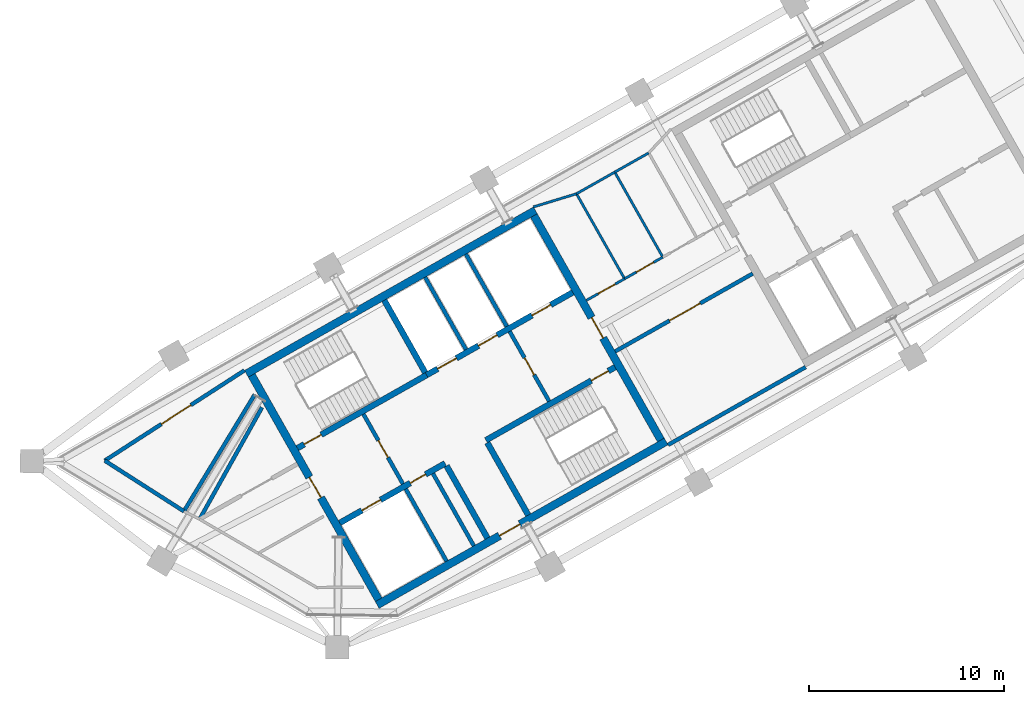
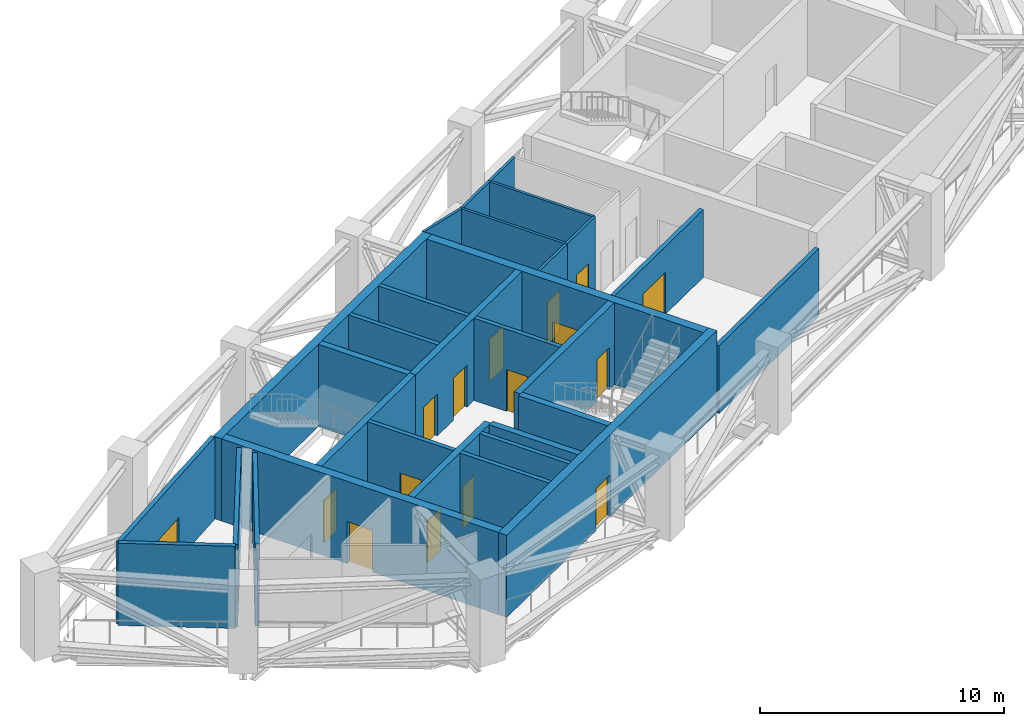
# One storey, part 6 of 10: 30 walls, 16 doors, 16 openings.
"""IFC4 building model written with IfcOpenShell, lengths in metres."""

from ifc_helpers import new_model, si_unit, direction, frame, frame_2d, origin, place, context, subcontext, project, spatial, rectangle, extrude, material, layer, layer_set, type_object, element, fill, save


model = new_model("IFC4")

# Units and contexts
model_context = context("Model", 3, precision=1e-05, world=origin(), true_north=direction((0.0, 1.0)))
body_context = subcontext(model_context, "Body", "Model", "MODEL_VIEW")
ifc_project = project(units=[si_unit("LENGTHUNIT", "METRE"), si_unit("AREAUNIT", "SQUARE_METRE"), si_unit("VOLUMEUNIT", "CUBIC_METRE"), si_unit("PLANEANGLEUNIT", "RADIAN"), si_unit("MASSUNIT", "GRAM", prefix="KILO")], contexts=[model_context])

# Site, building, storey
site_placement = place(None, origin())
site = spatial("IfcSite", under=ifc_project, at=site_placement, CompositionType="ELEMENT")
building_placement = place(site_placement, origin())
building = spatial("IfcBuilding", under=site, at=building_placement, Name="Binnacle Exchange Tower", CompositionType="ELEMENT")
storey_placement = place(building_placement, frame((0.0, 0.0, 312.10009765625)))
storey = spatial("IfcBuildingStorey", under=building, at=storey_placement, Name="L70", CompositionType="ELEMENT", Elevation=312.10009765625)

# Wall, openings, doors
ifc_material_1 = material(Name="Concrete C70/85", Category="concrete")
ifc_layer_1 = layer(ifc_material_1, 0.300048828125)
ifc_layer_set_1 = layer_set([ifc_layer_1], Name="Core wall - front 300")
wall_type_1 = type_object("IfcWallType", Name="Core wall - front 300", PredefinedType="SOLIDWALL", material=ifc_layer_set_1)
wall_1_placement = place(storey_placement, frame((-41.72998046875, 33.862548828125, 0.0), z_axis=(0.0, 0.0, 1.0), x_axis=(0.870350800578, 0.492432212525, 0.0)))
wall_1 = element("IfcWall", 1, at=wall_1_placement, inside=storey, type_object=wall_type_1, Name="Core wall CRWA2", PredefinedType="SOLIDWALL", context=body_context, shape_type="SweptSolid", body=[
    extrude(rectangle(XDim=6.19970703125, YDim=0.300048828125, at=frame_2d((3.099853515625, 0.0))), origin(), (0.0, 0.0, 1.0), 4.119873046875),
])
opening_1_placement = place(wall_1_placement, frame((1.300048828125, 0.0, 0.0)))
opening_1 = element("IfcOpeningElement", 2, at=opening_1_placement, cuts=wall_1, Name="Opening LD12", PredefinedType="OPENING", context=body_context, shape_type="SweptSolid", body=[
    extrude(rectangle(XDim=1.10009765625, YDim=2.10009765625, at=frame_2d((0.550048828125, 1.050048828125))), frame((0.0, 0.159912109375, 0.0), z_axis=(0.0, -1.0, 0.0), x_axis=(1.0, 0.0, 0.0)), (0.0, 0.0, 1.0), 0.320068359375),
])
opening_2_placement = place(wall_1_placement, frame((4.14990234375, 0.0, 0.0)))
opening_2 = element("IfcOpeningElement", 3, at=opening_2_placement, cuts=wall_1, Name="Opening DA14", PredefinedType="OPENING", context=body_context, shape_type="SweptSolid", body=[
    extrude(rectangle(XDim=0.89990234375, YDim=2.10009765625, at=frame_2d((0.449951171875, 1.050048828125))), frame((0.0, 0.159912109375, 0.0), z_axis=(0.0, -1.0, 0.0), x_axis=(1.0, 0.0, 0.0)), (0.0, 0.0, 1.0), 0.320068359375),
])
ifc_material_2 = material(Name="Steel door leaf", Category="steel")
door_type_1 = type_object("IfcDoorType", Name="Fire door - lift landing 1100", OperationType="NOTDEFINED", PredefinedType="DOOR", material=ifc_material_2)
door_1_placement = place(opening_1_placement, origin())
door_1 = element("IfcDoor", 4, at=door_1_placement, inside=storey, type_object=door_type_1, Name="Landing door LD12 L70", OperationType="DOUBLE_DOOR_SLIDING", OverallHeight=2.10009765625, OverallWidth=1.10009765625, PredefinedType="DOOR", context=body_context, shape_type="SweptSolid", body=[
    extrude(rectangle(XDim=1.10009765625, YDim=2.10009765625, at=frame_2d((0.550048828125, 1.050048828125))), frame((0.0, 0.02490234375, 0.0), z_axis=(0.0, -1.0, 0.0), x_axis=(1.0, 0.0, 0.0)), (0.0, 0.0, 1.0), 0.050048828125),
])
fill(opening_1, door_1)
door_type_2 = type_object("IfcDoorType", Name="Fire door 900", OperationType="NOTDEFINED", PredefinedType="DOOR", material=ifc_material_2)
door_2_placement = place(opening_2_placement, frame((0.89990234375, 0.0, 0.0), z_axis=(0.0, 0.0, 1.0), x_axis=(-1.0, 0.0, 0.0)))
door_2 = element("IfcDoor", 5, at=door_2_placement, inside=storey, type_object=door_type_2, Name="Core room door ELECTRICAL ROOM", OperationType="SINGLE_SWING_LEFT", OverallHeight=2.10009765625, OverallWidth=0.89990234375, PredefinedType="DOOR", context=body_context, shape_type="SweptSolid", body=[
    extrude(rectangle(XDim=0.89990234375, YDim=2.10009765625, at=frame_2d((0.449951171875, 1.050048828125))), frame((0.0, 0.02490234375, 0.0), z_axis=(0.0, -1.0, 0.0), x_axis=(1.0, 0.0, 0.0)), (0.0, 0.0, 1.0), 0.050048828125),
])
fill(opening_2, door_2)

wall_2_placement = place(storey_placement, frame((-37.281982421875, 41.4345703125, 0.0), z_axis=(0.0, 0.0, 1.0), x_axis=(0.870361315115, 0.492413628113, 0.0)))
wall_2 = element("IfcWall", 6, at=wall_2_placement, inside=storey, type_object=wall_type_1, Name="Core wall CRWA5", PredefinedType="SOLIDWALL", context=body_context, shape_type="SweptSolid", body=[
    extrude(rectangle(XDim=8.599609375, YDim=0.300048828125, at=frame_2d((4.2998046875, 0.0))), origin(), (0.0, 0.0, 1.0), 4.119873046875),
])
opening_3_placement = place(wall_2_placement, frame((0.650146484375, 0.0, 0.0)))
opening_3 = element("IfcOpeningElement", 7, at=opening_3_placement, cuts=wall_2, Name="Opening LD9", PredefinedType="OPENING", context=body_context, shape_type="SweptSolid", body=[
    extrude(rectangle(XDim=1.10009765625, YDim=2.10009765625, at=frame_2d((0.550048828125, 1.050048828125))), frame((0.0, 0.159912109375, 0.0), z_axis=(0.0, -1.0, 0.0), x_axis=(1.0, 0.0, 0.0)), (0.0, 0.0, 1.0), 0.320068359375),
])
opening_4_placement = place(wall_2_placement, frame((3.050048828125, 0.0, 0.0)))
opening_4 = element("IfcOpeningElement", 8, at=opening_4_placement, cuts=wall_2, Name="Opening LD10", PredefinedType="OPENING", context=body_context, shape_type="SweptSolid", body=[
    extrude(rectangle(XDim=1.10009765625, YDim=2.10009765625, at=frame_2d((0.550048828125, 1.050048828125))), frame((0.0, 0.159912109375, 0.0), z_axis=(0.0, -1.0, 0.0), x_axis=(1.0, 0.0, 0.0)), (0.0, 0.0, 1.0), 0.320068359375),
])
opening_5_placement = place(wall_2_placement, frame((6.199951171875, 0.0, 0.0)))
opening_5 = element("IfcOpeningElement", 9, at=opening_5_placement, cuts=wall_2, Name="Opening LD13", PredefinedType="OPENING", context=body_context, shape_type="SweptSolid", body=[
    extrude(rectangle(XDim=1.10009765625, YDim=2.10009765625, at=frame_2d((0.550048828125, 1.050048828125))), frame((0.0, 0.159912109375, 0.0), z_axis=(0.0, -1.0, 0.0), x_axis=(1.0, 0.0, 0.0)), (0.0, 0.0, 1.0), 0.320068359375),
])
door_3_placement = place(opening_3_placement, origin())
door_3 = element("IfcDoor", 10, at=door_3_placement, inside=storey, type_object=door_type_1, Name="Landing door LD9 L70", OperationType="DOUBLE_DOOR_SLIDING", OverallHeight=2.10009765625, OverallWidth=1.10009765625, PredefinedType="DOOR", context=body_context, shape_type="SweptSolid", body=[
    extrude(rectangle(XDim=1.10009765625, YDim=2.10009765625, at=frame_2d((0.550048828125, 1.050048828125))), frame((0.0, 0.02490234375, 0.0), z_axis=(0.0, -1.0, 0.0), x_axis=(1.0, 0.0, 0.0)), (0.0, 0.0, 1.0), 0.050048828125),
])
fill(opening_3, door_3)
door_4_placement = place(opening_4_placement, origin())
door_4 = element("IfcDoor", 11, at=door_4_placement, inside=storey, type_object=door_type_1, Name="Landing door LD10 L70", OperationType="DOUBLE_DOOR_SLIDING", OverallHeight=2.10009765625, OverallWidth=1.10009765625, PredefinedType="DOOR", context=body_context, shape_type="SweptSolid", body=[
    extrude(rectangle(XDim=1.10009765625, YDim=2.10009765625, at=frame_2d((0.550048828125, 1.050048828125))), frame((0.0, 0.02490234375, 0.0), z_axis=(0.0, -1.0, 0.0), x_axis=(1.0, 0.0, 0.0)), (0.0, 0.0, 1.0), 0.050048828125),
])
fill(opening_4, door_4)
door_5_placement = place(opening_5_placement, origin())
door_5 = element("IfcDoor", 12, at=door_5_placement, inside=storey, type_object=door_type_1, Name="Landing door LD13 L70", OperationType="DOUBLE_DOOR_SLIDING", OverallHeight=2.10009765625, OverallWidth=1.10009765625, PredefinedType="DOOR", context=body_context, shape_type="SweptSolid", body=[
    extrude(rectangle(XDim=1.10009765625, YDim=2.10009765625, at=frame_2d((0.550048828125, 1.050048828125))), frame((0.0, 0.02490234375, 0.0), z_axis=(0.0, -1.0, 0.0), x_axis=(1.0, 0.0, 0.0)), (0.0, 0.0, 1.0), 0.050048828125),
])
fill(opening_5, door_5)

# Wall
wall_3_placement = place(storey_placement, frame((-36.260009765625, 36.784912109375, 0.0), z_axis=(0.0, 0.0, 1.0), x_axis=(0.492422543467, -0.870356271124, 0.0)))
element("IfcWall", 13, at=wall_3_placement, inside=storey, type_object=wall_type_1, Name="Core wall CRWA13", PredefinedType="SOLIDWALL", context=body_context, shape_type="SweptSolid", body=[
    extrude(rectangle(XDim=4.25, YDim=0.300048828125, at=frame_2d((2.125, 0.0))), origin(), (0.0, 0.0, 1.0), 4.119873046875),
])

# Wall, opening, door
ifc_layer_2 = layer(ifc_material_1, 0.39990234375)
ifc_layer_set_2 = layer_set([ifc_layer_2], Name="Core wall - outer 400")
wall_type_2 = type_object("IfcWallType", Name="Core wall - outer 400", PredefinedType="SOLIDWALL", material=ifc_layer_set_2)
wall_4_placement = place(storey_placement, frame((-39.81298828125, 29.661865234375, 0.0), z_axis=(0.0, 0.0, 1.0), x_axis=(0.870350116061, 0.492433422375, 0.0)))
wall_4 = element("IfcWall", 14, at=wall_4_placement, inside=storey, type_object=wall_type_2, Name="Core wall CRWA1", PredefinedType="SOLIDWALL", context=body_context, shape_type="SweptSolid", body=[
    extrude(rectangle(XDim=17.0, YDim=0.39990234375, at=frame_2d((8.5, 0.0))), origin(), (0.0, 0.0, 1.0), 4.119873046875),
])
opening_6_placement = place(wall_4_placement, frame((7.199951171875, 0.0, 0.0)))
opening_6 = element("IfcOpeningElement", 15, at=opening_6_placement, cuts=wall_4, Name="Opening DA7", PredefinedType="OPENING", context=body_context, shape_type="SweptSolid", body=[
    extrude(rectangle(XDim=1.199951171875, YDim=2.10009765625, at=frame_2d((0.60009765625, 1.050048828125))), frame((0.0, 0.2099609375, 0.0), z_axis=(0.0, -1.0, 0.0), x_axis=(1.0, 0.0, 0.0)), (0.0, 0.0, 1.0), 0.419921875),
])
door_type_3 = type_object("IfcDoorType", Name="Fire door 1200", OperationType="NOTDEFINED", PredefinedType="DOOR", material=ifc_material_2)
door_6_placement = place(opening_6_placement, frame((1.199951171875, 0.0, 0.0), z_axis=(0.0, 0.0, 1.0), x_axis=(-1.0, 0.0, 0.0)))
door_6 = element("IfcDoor", 16, at=door_6_placement, inside=storey, type_object=door_type_3, Name="Lift lobby entrance door core A", OperationType="SINGLE_SWING_RIGHT", OverallHeight=2.10009765625, OverallWidth=1.199951171875, PredefinedType="DOOR", context=body_context, shape_type="SweptSolid", body=[
    extrude(rectangle(XDim=1.199951171875, YDim=2.10009765625, at=frame_2d((0.60009765625, 1.050048828125))), frame((0.0, 0.02490234375, 0.0), z_axis=(0.0, -1.0, 0.0), x_axis=(1.0, 0.0, 0.0)), (0.0, 0.0, 1.0), 0.050048828125),
])
fill(opening_6, door_6)

# Wall
wall_5_placement = place(storey_placement, frame((-46.510009765625, 41.498779296875, 0.0), z_axis=(0.0, 0.0, 1.0), x_axis=(0.870356271124, 0.492422543467, 0.0)))
element("IfcWall", 17, at=wall_5_placement, inside=storey, type_object=wall_type_2, Name="Core wall CRWA6", PredefinedType="SOLIDWALL", context=body_context, shape_type="SweptSolid", body=[
    extrude(rectangle(XDim=16.999755859375, YDim=0.39990234375, at=frame_2d((8.5, 0.0))), origin(), (0.0, 0.0, 1.0), 4.119873046875),
])

# Wall, opening, door
wall_6_placement = place(storey_placement, frame((-46.237548828125, 41.423095703125, 0.0), z_axis=(0.0, 0.0, 1.0), x_axis=(0.492421663121, -0.870356769198, 0.0)))
wall_6 = element("IfcWall", 18, at=wall_6_placement, inside=storey, type_object=wall_type_2, Name="Core wall CRWA7", PredefinedType="SOLIDWALL", context=body_context, shape_type="SweptSolid", body=[
    extrude(rectangle(XDim=13.199951171875, YDim=0.39990234375, at=frame_2d((6.60009765625, 0.0))), origin(), (0.0, 0.0, 1.0), 4.119873046875),
])
opening_7_placement = place(wall_6_placement, frame((6.0, 0.0, 0.0)))
opening_7 = element("IfcOpeningElement", 19, at=opening_7_placement, cuts=wall_6, Name="Opening DA5", PredefinedType="OPENING", context=body_context, shape_type="SweptSolid", body=[
    extrude(rectangle(XDim=1.199951171875, YDim=2.10009765625, at=frame_2d((0.60009765625, 1.050048828125))), frame((0.0, 0.2099609375, 0.0), z_axis=(0.0, -1.0, 0.0), x_axis=(1.0, 0.0, 0.0)), (0.0, 0.0, 1.0), 0.419921875),
])
door_7_placement = place(opening_7_placement, frame((1.199951171875, 0.0, 0.0), z_axis=(0.0, 0.0, 1.0), x_axis=(-1.0, 0.0, 0.0)))
door_7 = element("IfcDoor", 20, at=door_7_placement, inside=storey, type_object=door_type_3, Name="Vestibule exit door VEST-W", OperationType="SINGLE_SWING_RIGHT", OverallHeight=2.10009765625, OverallWidth=1.199951171875, PredefinedType="DOOR", context=body_context, shape_type="SweptSolid", body=[
    extrude(rectangle(XDim=1.199951171875, YDim=2.10009765625, at=frame_2d((0.60009765625, 1.050048828125))), frame((0.0, 0.02490234375, 0.0), z_axis=(0.0, -1.0, 0.0), x_axis=(1.0, 0.0, 0.0)), (0.0, 0.0, 1.0), 0.050048828125),
])
fill(opening_7, door_7)

wall_7_placement = place(storey_placement, frame((-31.78955078125, 49.597412109375, 0.0), z_axis=(0.0, 0.0, 1.0), x_axis=(0.492421663121, -0.870356769198, 0.0)))
wall_7 = element("IfcWall", 21, at=wall_7_placement, inside=storey, type_object=wall_type_2, Name="Core wall CRWA22", PredefinedType="SOLIDWALL", context=body_context, shape_type="SweptSolid", body=[
    extrude(rectangle(XDim=13.199951171875, YDim=0.39990234375, at=frame_2d((6.60009765625, 0.0))), origin(), (0.0, 0.0, 1.0), 4.119873046875),
])
opening_8_placement = place(wall_7_placement, frame((6.0, 0.0, 0.0)))
opening_8 = element("IfcOpeningElement", 22, at=opening_8_placement, cuts=wall_7, Name="Opening DA6", PredefinedType="OPENING", context=body_context, shape_type="SweptSolid", body=[
    extrude(rectangle(XDim=1.199951171875, YDim=2.10009765625, at=frame_2d((0.60009765625, 1.050048828125))), frame((0.0, 0.2099609375, 0.0), z_axis=(0.0, -1.0, 0.0), x_axis=(1.0, 0.0, 0.0)), (0.0, 0.0, 1.0), 0.419921875),
])
door_8_placement = place(opening_8_placement, origin())
door_8 = element("IfcDoor", 23, at=door_8_placement, inside=storey, type_object=door_type_3, Name="Vestibule exit door VEST-E", OperationType="SINGLE_SWING_LEFT", OverallHeight=2.10009765625, OverallWidth=1.199951171875, PredefinedType="DOOR", context=body_context, shape_type="SweptSolid", body=[
    extrude(rectangle(XDim=1.199951171875, YDim=2.10009765625, at=frame_2d((0.60009765625, 1.050048828125))), frame((0.0, 0.02490234375, 0.0), z_axis=(0.0, -1.0, 0.0), x_axis=(1.0, 0.0, 0.0)), (0.0, 0.0, 1.0), 0.050048828125),
])
fill(opening_8, door_8)

ifc_layer_3 = layer(ifc_material_1, 0.300048828125)
ifc_layer_set_3 = layer_set([ifc_layer_3], Name="Core wall - stair 300")
wall_type_3 = type_object("IfcWallType", Name="Core wall - stair 300", PredefinedType="SOLIDWALL", material=ifc_layer_set_3)
wall_8_placement = place(storey_placement, frame((-34.2451171875, 38.097412109375, 0.0), z_axis=(0.0, 0.0, 1.0), x_axis=(0.870356351998, 0.492422400523, 0.0)))
wall_8 = element("IfcWall", 24, at=wall_8_placement, inside=storey, type_object=wall_type_3, Name="Core wall CRWA3", PredefinedType="SOLIDWALL", context=body_context, shape_type="SweptSolid", body=[
    extrude(rectangle(XDim=7.60009765625, YDim=0.300048828125, at=frame_2d((3.800048828125, 0.0))), origin(), (0.0, 0.0, 1.0), 4.119873046875),
])
opening_9_placement = place(wall_8_placement, frame((6.199951171875, 0.0, 0.0)))
opening_9 = element("IfcOpeningElement", 25, at=opening_9_placement, cuts=wall_8, Name="Opening DA2", PredefinedType="OPENING", context=body_context, shape_type="SweptSolid", body=[
    extrude(rectangle(XDim=1.0, YDim=2.10009765625, at=frame_2d((0.5, 1.050048828125))), frame((0.0, 0.159912109375, 0.0), z_axis=(0.0, -1.0, 0.0), x_axis=(1.0, 0.0, 0.0)), (0.0, 0.0, 1.0), 0.320068359375),
])
door_type_4 = type_object("IfcDoorType", Name="Fire door 1000", OperationType="NOTDEFINED", PredefinedType="DOOR", material=ifc_material_2)
door_9_placement = place(opening_9_placement, frame((1.0, 0.0, 0.0), z_axis=(0.0, 0.0, 1.0), x_axis=(-1.0, 0.0, 0.0)))
door_9 = element("IfcDoor", 26, at=door_9_placement, inside=storey, type_object=door_type_4, Name="Stair door ST-A2", OperationType="SINGLE_SWING_LEFT", OverallHeight=2.10009765625, OverallWidth=1.0, PredefinedType="DOOR", context=body_context, shape_type="SweptSolid", body=[
    extrude(rectangle(XDim=1.0, YDim=2.10009765625, at=frame_2d((0.5, 1.050048828125))), frame((0.0, 0.02490234375, 0.0), z_axis=(0.0, -1.0, 0.0), x_axis=(1.0, 0.0, 0.0)), (0.0, 0.0, 1.0), 0.050048828125),
])
fill(opening_9, door_9)

wall_9_placement = place(storey_placement, frame((-43.896728515625, 37.692138671875, 0.0), z_axis=(0.0, 0.0, 1.0), x_axis=(0.870356351998, 0.492422400523, 0.0)))
wall_9 = element("IfcWall", 27, at=wall_9_placement, inside=storey, type_object=wall_type_3, Name="Core wall CRWA4", PredefinedType="SOLIDWALL", context=body_context, shape_type="SweptSolid", body=[
    extrude(rectangle(XDim=7.60009765625, YDim=0.300048828125, at=frame_2d((3.800048828125, 0.0))), origin(), (0.0, 0.0, 1.0), 4.119873046875),
])
opening_10_placement = place(wall_9_placement, frame((0.39990234375, 0.0, 0.0)))
opening_10 = element("IfcOpeningElement", 28, at=opening_10_placement, cuts=wall_9, Name="Opening DA1", PredefinedType="OPENING", context=body_context, shape_type="SweptSolid", body=[
    extrude(rectangle(XDim=1.0, YDim=2.10009765625, at=frame_2d((0.5, 1.050048828125))), frame((0.0, 0.159912109375, 0.0), z_axis=(0.0, -1.0, 0.0), x_axis=(1.0, 0.0, 0.0)), (0.0, 0.0, 1.0), 0.320068359375),
])
door_10_placement = place(opening_10_placement, origin())
door_10 = element("IfcDoor", 29, at=door_10_placement, inside=storey, type_object=door_type_4, Name="Stair door ST-A1", OperationType="SINGLE_SWING_LEFT", OverallHeight=2.10009765625, OverallWidth=1.0, PredefinedType="DOOR", context=body_context, shape_type="SweptSolid", body=[
    extrude(rectangle(XDim=1.0, YDim=2.10009765625, at=frame_2d((0.5, 1.050048828125))), frame((0.0, 0.02490234375, 0.0), z_axis=(0.0, -1.0, 0.0), x_axis=(1.0, 0.0, 0.0)), (0.0, 0.0, 1.0), 0.050048828125),
])
fill(opening_10, door_10)

# Walls
for number, where, z_axis, x_axis, name in (
    (30, (-39.44873046875, 45.263916015625, 0.0), (0.0, 0.0, 1.0), (0.492422543467, -0.870356271124, 0.0), "Core wall CRWA14"),
    (31, (-34.171142578125, 37.966796875, 0.0), (0.0, 0.0, 1.0), (0.492422543467, -0.870356271124, 0.0), "Core wall CRWA16"),
):
    element("IfcWall", number, at=place(storey_placement, frame(where, z_axis=z_axis, x_axis=x_axis)), inside=storey, type_object=wall_type_3, Name=name, PredefinedType="SOLIDWALL", context=body_context, shape_type="SweptSolid", body=[
        extrude(rectangle(XDim=4.25, YDim=0.300048828125, at=frame_2d((2.125, 0.0))), origin(), (0.0, 0.0, 1.0), 4.119873046875),
    ])
ifc_material_3 = material(Name="Masonry block wall", Category="masonry")
ifc_layer_4 = layer(ifc_material_3, 0.199951171875)
ifc_layer_set_4 = layer_set([ifc_layer_4], Name="Fire wall - block 200")
wall_type_4 = type_object("IfcWallType", Name="Fire wall - block 200", PredefinedType="PARTITIONING", material=ifc_layer_set_4)
wall_10_placement = place(storey_placement, frame((-53.760009765625, 37.052001953125, 0.0), z_axis=(0.0, 0.0, 1.0), x_axis=(0.842421660073, -0.538818843992, 0.0)))
element("IfcWall", 32, at=wall_10_placement, inside=storey, type_object=wall_type_4, Name="Partition W01", PredefinedType="PARTITIONING", context=body_context, shape_type="SweptSolid", body=[
    extrude(rectangle(XDim=4.808837890625, YDim=0.199951171875, at=frame_2d((2.404296875, 0.0))), origin(), (0.0, 0.0, 1.0), 4.119873046875),
])

# Wall, opening, door
wall_11_placement = place(storey_placement, frame((-53.760009765625, 37.052001953125, 0.0), z_axis=(0.0, 0.0, 1.0), x_axis=(0.83989696129, 0.542745883831, 0.0)))
wall_11 = element("IfcWall", 33, at=wall_11_placement, inside=storey, type_object=wall_type_4, Name="Partition W02", PredefinedType="PARTITIONING", context=body_context, shape_type="SweptSolid", body=[
    extrude(rectangle(XDim=8.514404296875, YDim=0.199951171875, at=frame_2d((4.25732421875, 0.0))), origin(), (0.0, 0.0, 1.0), 4.119873046875),
])
opening_11_placement = place(wall_11_placement, frame((3.449951171875, 0.0, 0.0)))
opening_11 = element("IfcOpeningElement", 34, at=opening_11_placement, cuts=wall_11, Name="Opening DL70-02", PredefinedType="OPENING", context=body_context, shape_type="SweptSolid", body=[
    extrude(rectangle(XDim=1.800048828125, YDim=2.10009765625, at=frame_2d((0.89990234375, 1.050048828125))), frame((0.0, 0.10986328125, 0.0), z_axis=(0.0, -1.0, 0.0), x_axis=(1.0, 0.0, 0.0)), (0.0, 0.0, 1.0), 0.219970703125),
])
door_type_5 = type_object("IfcDoorType", Name="Fire door 1800", OperationType="NOTDEFINED", PredefinedType="DOOR", material=ifc_material_2)
door_11_placement = place(opening_11_placement, frame((1.800048828125, 0.0, 0.0), z_axis=(0.0, 0.0, 1.0), x_axis=(-1.0, 0.0, 0.0)))
door_11 = element("IfcDoor", 35, at=door_11_placement, inside=storey, type_object=door_type_5, Name="Door DL70-02", OperationType="DOUBLE_DOOR_SINGLE_SWING", OverallHeight=2.10009765625, OverallWidth=1.800048828125, PredefinedType="DOOR", context=body_context, shape_type="SweptSolid", body=[
    extrude(rectangle(XDim=1.800048828125, YDim=2.10009765625, at=frame_2d((0.89990234375, 1.050048828125))), frame((0.0, 0.02490234375, 0.0), z_axis=(0.0, -1.0, 0.0), x_axis=(1.0, 0.0, 0.0)), (0.0, 0.0, 1.0), 0.050048828125),
])
fill(opening_11, door_11)

# Walls
wall_12_placement = place(storey_placement, frame((-49.698974609375, 34.47802734375, 0.0), z_axis=(0.0, 0.0, 1.0), x_axis=(0.51880997965, 0.854889586447, 0.0)))
element("IfcWall", 36, at=wall_12_placement, inside=storey, type_object=wall_type_4, Name="Partition W04", PredefinedType="PARTITIONING", context=body_context, shape_type="SweptSolid", body=[
    extrude(rectangle(XDim=6.9716796875, YDim=0.199951171875, at=frame_2d((3.48583984375, 0.0))), origin(), (0.0, 0.0, 1.0), 4.119873046875),
])
wall_13_placement = place(storey_placement, frame((-48.89111328125, 34.080078125, 0.0), z_axis=(0.0, 0.0, 1.0), x_axis=(0.487518696873, 0.873112547269, 0.0)))
element("IfcWall", 37, at=wall_13_placement, inside=storey, type_object=wall_type_4, Name="Partition W07", PredefinedType="PARTITIONING", context=body_context, shape_type="SweptSolid", body=[
    extrude(rectangle(XDim=6.527099609375, YDim=0.199951171875, at=frame_2d((3.263671875, 0.0))), origin(), (0.0, 0.0, 1.0), 4.119873046875),
])

# Wall, opening, door
wall_14_placement = place(storey_placement, frame((-27.626953125, 42.64599609375, 0.0), z_axis=(0.0, 0.0, 1.0), x_axis=(0.870370568162, 0.492397272614, 0.0)))
wall_14 = element("IfcWall", 38, at=wall_14_placement, inside=storey, type_object=wall_type_4, Name="Partition W17", PredefinedType="PARTITIONING", context=body_context, shape_type="SweptSolid", body=[
    extrude(rectangle(XDim=8.0908203125, YDim=0.199951171875, at=frame_2d((4.04541015625, 0.0))), origin(), (0.0, 0.0, 1.0), 3.391845703125),
])
opening_12_placement = place(wall_14_placement, frame((3.199951171875, 0.0, 0.0)))
opening_12 = element("IfcOpeningElement", 39, at=opening_12_placement, cuts=wall_14, Name="Opening DL70-07", PredefinedType="OPENING", context=body_context, shape_type="SweptSolid", body=[
    extrude(rectangle(XDim=1.800048828125, YDim=2.10009765625, at=frame_2d((0.89990234375, 1.050048828125))), frame((0.0, 0.10986328125, 0.0), z_axis=(0.0, -1.0, 0.0), x_axis=(1.0, 0.0, 0.0)), (0.0, 0.0, 1.0), 0.219970703125),
])
door_12_placement = place(opening_12_placement, frame((1.800048828125, 0.0, 0.0), z_axis=(0.0, 0.0, 1.0), x_axis=(-1.0, 0.0, 0.0)))
door_12 = element("IfcDoor", 40, at=door_12_placement, inside=storey, type_object=door_type_5, Name="Door DL70-07", OperationType="DOUBLE_DOOR_SINGLE_SWING", OverallHeight=2.10009765625, OverallWidth=1.800048828125, PredefinedType="DOOR", context=body_context, shape_type="SweptSolid", body=[
    extrude(rectangle(XDim=1.800048828125, YDim=2.10009765625, at=frame_2d((0.89990234375, 1.050048828125))), frame((0.0, 0.02490234375, 0.0), z_axis=(0.0, -1.0, 0.0), x_axis=(1.0, 0.0, 0.0)), (0.0, 0.0, 1.0), 0.050048828125),
])
fill(opening_12, door_12)

# Wall
wall_15_placement = place(storey_placement, frame((-24.9189453125, 37.85888671875, 0.0), z_axis=(0.0, 0.0, 1.0), x_axis=(0.870357635969, 0.492420131098, 0.0)))
element("IfcWall", 41, at=wall_15_placement, inside=storey, type_object=wall_type_4, Name="Partition W22", PredefinedType="PARTITIONING", context=body_context, shape_type="SweptSolid", body=[
    extrude(rectangle(XDim=8.0908203125, YDim=0.199951171875, at=frame_2d((4.04541015625, 0.0))), origin(), (0.0, 0.0, 1.0), 3.391845703125),
])

# Wall, opening, door
ifc_layer_5 = layer(ifc_material_3, 0.199951171875)
ifc_layer_set_5 = layer_set([ifc_layer_5], Name="Fire wall - vestibule 200")
wall_type_5 = type_object("IfcWallType", Name="Fire wall - vestibule 200", PredefinedType="PARTITIONING", material=ifc_layer_set_5)
wall_16_placement = place(storey_placement, frame((-40.515625, 39.4326171875, 0.0), z_axis=(0.0, 0.0, 1.0), x_axis=(0.492453559952, -0.87033872216, 0.0)))
wall_16 = element("IfcWall", 42, at=wall_16_placement, inside=storey, type_object=wall_type_5, Name="Core wall CRWA10", PredefinedType="PARTITIONING", context=body_context, shape_type="SweptSolid", body=[
    extrude(rectangle(XDim=4.099853515625, YDim=0.199951171875, at=frame_2d((2.0498046875, 0.0))), origin(), (0.0, 0.0, 1.0), 4.119873046875),
])
opening_13_placement = place(wall_16_placement, frame((1.550048828125, 0.0, 0.0)))
opening_13 = element("IfcOpeningElement", 43, at=opening_13_placement, cuts=wall_16, Name="Opening DA3", PredefinedType="OPENING", context=body_context, shape_type="SweptSolid", body=[
    extrude(rectangle(XDim=1.0, YDim=2.10009765625, at=frame_2d((0.5, 1.050048828125))), frame((0.0, 0.10986328125, 0.0), z_axis=(0.0, -1.0, 0.0), x_axis=(1.0, 0.0, 0.0)), (0.0, 0.0, 1.0), 0.219970703125),
])
door_13_placement = place(opening_13_placement, frame((1.0, 0.0, 0.0), z_axis=(0.0, 0.0, 1.0), x_axis=(-1.0, 0.0, 0.0)))
door_13 = element("IfcDoor", 44, at=door_13_placement, inside=storey, type_object=door_type_4, Name="Vestibule door VEST-W", OperationType="SINGLE_SWING_LEFT", OverallHeight=2.10009765625, OverallWidth=1.0, PredefinedType="DOOR", context=body_context, shape_type="SweptSolid", body=[
    extrude(rectangle(XDim=1.0, YDim=2.10009765625, at=frame_2d((0.5, 1.050048828125))), frame((0.0, 0.02490234375, 0.0), z_axis=(0.0, -1.0, 0.0), x_axis=(1.0, 0.0, 0.0)), (0.0, 0.0, 1.0), 0.050048828125),
])
fill(opening_13, door_13)

wall_17_placement = place(storey_placement, frame((-33.030517578125, 43.66748046875, 0.0), z_axis=(0.0, 0.0, 1.0), x_axis=(0.492408451753, -0.87036424366, 0.0)))
wall_17 = element("IfcWall", 45, at=wall_17_placement, inside=storey, type_object=wall_type_5, Name="Core wall CRWA19", PredefinedType="PARTITIONING", context=body_context, shape_type="SweptSolid", body=[
    extrude(rectangle(XDim=4.099853515625, YDim=0.199951171875, at=frame_2d((2.0498046875, 0.0))), origin(), (0.0, 0.0, 1.0), 4.119873046875),
])
opening_14_placement = place(wall_17_placement, frame((1.550048828125, 0.0, 0.0)))
opening_14 = element("IfcOpeningElement", 46, at=opening_14_placement, cuts=wall_17, Name="Opening DA4", PredefinedType="OPENING", context=body_context, shape_type="SweptSolid", body=[
    extrude(rectangle(XDim=1.0, YDim=2.10009765625, at=frame_2d((0.5, 1.050048828125))), frame((0.0, 0.10986328125, 0.0), z_axis=(0.0, -1.0, 0.0), x_axis=(1.0, 0.0, 0.0)), (0.0, 0.0, 1.0), 0.219970703125),
])
door_14_placement = place(opening_14_placement, origin())
door_14 = element("IfcDoor", 47, at=door_14_placement, inside=storey, type_object=door_type_4, Name="Vestibule door VEST-E", OperationType="SINGLE_SWING_RIGHT", OverallHeight=2.10009765625, OverallWidth=1.0, PredefinedType="DOOR", context=body_context, shape_type="SweptSolid", body=[
    extrude(rectangle(XDim=1.0, YDim=2.10009765625, at=frame_2d((0.5, 1.050048828125))), frame((0.0, 0.02490234375, 0.0), z_axis=(0.0, -1.0, 0.0), x_axis=(1.0, 0.0, 0.0)), (0.0, 0.0, 1.0), 0.050048828125),
])
fill(opening_14, door_14)

# Walls
ifc_material_4 = material(Name="Gypsum partition")
ifc_layer_6 = layer(ifc_material_4, 0.125)
ifc_layer_set_6 = layer_set([ifc_layer_6], Name="Partition 125")
wall_type_6 = type_object("IfcWallType", Name="Partition 125", PredefinedType="PARTITIONING", material=ifc_layer_set_6)
wall_18_placement = place(storey_placement, frame((-31.81201171875, 50.0439453125, 0.0), z_axis=(0.0, 0.0, 1.0), x_axis=(0.956397612161, 0.292067813107, 0.0)))
element("IfcWall", 48, at=wall_18_placement, inside=storey, type_object=wall_type_6, Name="Partition W11", PredefinedType="PARTITIONING", context=body_context, shape_type="SweptSolid", body=[
    extrude(rectangle(XDim=2.3046875, YDim=0.125, at=frame_2d((1.15234375, 0.0))), origin(), (0.0, 0.0, 1.0), 4.119873046875),
])
wall_19_placement = place(storey_placement, frame((-29.60791015625, 50.717041015625, 0.0), z_axis=(0.0, 0.0, 1.0), x_axis=(0.870332332106, 0.492464853254, 0.0)))
element("IfcWall", 49, at=wall_19_placement, inside=storey, type_object=wall_type_6, Name="Partition W12", PredefinedType="PARTITIONING", context=body_context, shape_type="SweptSolid", body=[
    extrude(rectangle(XDim=2.249755859375, YDim=0.125, at=frame_2d((1.125, 0.0))), origin(), (0.0, 0.0, 1.0), 4.119873046875),
])
wall_20_placement = place(storey_placement, frame((-29.60791015625, 50.717041015625, 0.0), z_axis=(0.0, 0.0, 1.0), x_axis=(0.492369352746, -0.870386362759, 0.0)))
element("IfcWall", 50, at=wall_20_placement, inside=storey, type_object=wall_type_6, Name="Partition W13", PredefinedType="PARTITIONING", context=body_context, shape_type="SweptSolid", body=[
    extrude(rectangle(XDim=5.000244140625, YDim=0.125, at=frame_2d((2.5, 0.0))), origin(), (0.0, 0.0, 1.0), 4.119873046875),
])

# Wall, opening, door
wall_21_placement = place(storey_placement, frame((-29.10400390625, 45.257080078125, 0.0), z_axis=(0.0, 0.0, 1.0), x_axis=(0.870332332106, 0.492464853254, 0.0)))
wall_21 = element("IfcWall", 51, at=wall_21_placement, inside=storey, type_object=wall_type_6, Name="Partition W14", PredefinedType="PARTITIONING", context=body_context, shape_type="SweptSolid", body=[
    extrude(rectangle(XDim=2.249755859375, YDim=0.125, at=frame_2d((1.125, 0.0))), origin(), (0.0, 0.0, 1.0), 4.119873046875),
])
opening_15_placement = place(wall_21_placement, frame((0.699951171875, 0.0, 0.0)))
opening_15 = element("IfcOpeningElement", 52, at=opening_15_placement, cuts=wall_21, Name="Opening DL70-03", PredefinedType="OPENING", context=body_context, shape_type="SweptSolid", body=[
    extrude(rectangle(XDim=1.0, YDim=2.10009765625, at=frame_2d((0.5, 1.050048828125))), frame((0.0, 0.072509765625, 0.0), z_axis=(0.0, -1.0, 0.0), x_axis=(1.0, 0.0, 0.0)), (0.0, 0.0, 1.0), 0.14501953125),
])
ifc_material_5 = material(Name="Timber door leaf", Category="wood")
door_type_6 = type_object("IfcDoorType", Name="Door 1000", OperationType="NOTDEFINED", PredefinedType="DOOR", material=ifc_material_5)
door_15_placement = place(opening_15_placement, origin())
door_15 = element("IfcDoor", 53, at=door_15_placement, inside=storey, type_object=door_type_6, Name="Door DL70-03", OperationType="SINGLE_SWING_RIGHT", OverallHeight=2.10009765625, OverallWidth=1.0, PredefinedType="DOOR", context=body_context, shape_type="SweptSolid", body=[
    extrude(rectangle(XDim=1.0, YDim=2.10009765625, at=frame_2d((0.5, 1.050048828125))), frame((0.0, 0.02490234375, 0.0), z_axis=(0.0, -1.0, 0.0), x_axis=(1.0, 0.0, 0.0)), (0.0, 0.0, 1.0), 0.050048828125),
])
fill(opening_15, door_15)

# Walls
wall_22_placement = place(storey_placement, frame((-27.64990234375, 51.824951171875, 0.0), z_axis=(0.0, 0.0, 1.0), x_axis=(0.870330884088, 0.492467412326, 0.0)))
element("IfcWall", 54, at=wall_22_placement, inside=storey, type_object=wall_type_6, Name="Partition W15", PredefinedType="PARTITIONING", context=body_context, shape_type="SweptSolid", body=[
    extrude(rectangle(XDim=2.000244140625, YDim=0.125, at=frame_2d((1.0, 0.0))), origin(), (0.0, 0.0, 1.0), 4.119873046875),
])
wall_23_placement = place(storey_placement, frame((-27.64990234375, 51.824951171875, 0.0), z_axis=(0.0, 0.0, 1.0), x_axis=(0.492369352746, -0.870386362759, 0.0)))
element("IfcWall", 55, at=wall_23_placement, inside=storey, type_object=wall_type_6, Name="Partition W16", PredefinedType="PARTITIONING", context=body_context, shape_type="SweptSolid", body=[
    extrude(rectangle(XDim=5.000244140625, YDim=0.125, at=frame_2d((2.5, 0.0))), origin(), (0.0, 0.0, 1.0), 4.119873046875),
])

# Wall, opening, door
wall_24_placement = place(storey_placement, frame((-27.14599609375, 46.364990234375, 0.0), z_axis=(0.0, 0.0, 1.0), x_axis=(0.870332332106, 0.492464853254, 0.0)))
wall_24 = element("IfcWall", 56, at=wall_24_placement, inside=storey, type_object=wall_type_6, Name="Partition W18", PredefinedType="PARTITIONING", context=body_context, shape_type="SweptSolid", body=[
    extrude(rectangle(XDim=2.249755859375, YDim=0.125, at=frame_2d((1.125, 0.0))), origin(), (0.0, 0.0, 1.0), 4.119873046875),
])
opening_16_placement = place(wall_24_placement, frame((0.699951171875, 0.0, 0.0)))
opening_16 = element("IfcOpeningElement", 57, at=opening_16_placement, cuts=wall_24, Name="Opening DL70-04", PredefinedType="OPENING", context=body_context, shape_type="SweptSolid", body=[
    extrude(rectangle(XDim=1.0, YDim=2.10009765625, at=frame_2d((0.5, 1.050048828125))), frame((0.0, 0.072509765625, 0.0), z_axis=(0.0, -1.0, 0.0), x_axis=(1.0, 0.0, 0.0)), (0.0, 0.0, 1.0), 0.14501953125),
])
door_16_placement = place(opening_16_placement, origin())
door_16 = element("IfcDoor", 58, at=door_16_placement, inside=storey, type_object=door_type_6, Name="Door DL70-04", OperationType="SINGLE_SWING_RIGHT", OverallHeight=2.10009765625, OverallWidth=1.0, PredefinedType="DOOR", context=body_context, shape_type="SweptSolid", body=[
    extrude(rectangle(XDim=1.0, YDim=2.10009765625, at=frame_2d((0.5, 1.050048828125))), frame((0.0, 0.02490234375, 0.0), z_axis=(0.0, -1.0, 0.0), x_axis=(1.0, 0.0, 0.0)), (0.0, 0.0, 1.0), 0.050048828125),
])
fill(opening_16, door_16)

# Walls
ifc_layer_7 = layer(ifc_material_3, 0.199951171875)
ifc_layer_set_7 = layer_set([ifc_layer_7], Name="Riser wall 200")
wall_type_7 = type_object("IfcWallType", Name="Riser wall 200", PredefinedType="SOLIDWALL", material=ifc_layer_set_7)
wall_25_placement = place(storey_placement, frame((-36.956298828125, 36.39111328125, 0.0), z_axis=(0.0, 0.0, 1.0), x_axis=(0.492397924348, -0.870370199454, 0.0)))
element("IfcWall", 59, at=wall_25_placement, inside=storey, type_object=wall_type_7, Name="Core wall CRWA12", PredefinedType="SOLIDWALL", context=body_context, shape_type="SweptSolid", body=[
    extrude(rectangle(XDim=4.250244140625, YDim=0.199951171875, at=frame_2d((2.125, 0.0))), origin(), (0.0, 0.0, 1.0), 4.119873046875),
])
ifc_layer_8 = layer(ifc_material_3, 0.199951171875)
ifc_layer_set_8 = layer_set([ifc_layer_8], Name="Shaft wall 200")
wall_type_8 = type_object("IfcWallType", Name="Shaft wall 200", PredefinedType="SOLIDWALL", material=ifc_layer_set_8)
wall_26_placement = place(storey_placement, frame((-38.348876953125, 35.603271484375, 0.0), z_axis=(0.0, 0.0, 1.0), x_axis=(0.492397924348, -0.870370199454, 0.0)))
element("IfcWall", 60, at=wall_26_placement, inside=storey, type_object=wall_type_8, Name="Core wall CRWA9", PredefinedType="SOLIDWALL", context=body_context, shape_type="SweptSolid", body=[
    extrude(rectangle(XDim=4.250244140625, YDim=0.199951171875, at=frame_2d((2.125, 0.0))), origin(), (0.0, 0.0, 1.0), 4.119873046875),
])
for number, where, z_axis, x_axis, name in (
    (61, (-37.35986328125, 46.44580078125, 0.0), (0.0, 0.0, 1.0), (0.492422543467, -0.870356271124, 0.0), "Core wall CRWA17"),
    (62, (-35.27099609375, 47.627685546875, 0.0), (0.0, 0.0, 1.0), (0.492422543467, -0.870356271124, 0.0), "Core wall CRWA21"),
):
    element("IfcWall", number, at=place(storey_placement, frame(where, z_axis=z_axis, x_axis=x_axis)), inside=storey, type_object=wall_type_8, Name=name, PredefinedType="SOLIDWALL", context=body_context, shape_type="SweptSolid", body=[
        extrude(rectangle(XDim=4.25, YDim=0.199951171875, at=frame_2d((2.125, 0.0))), origin(), (0.0, 0.0, 1.0), 4.119873046875),
    ])

save(model, "model.ifc")
